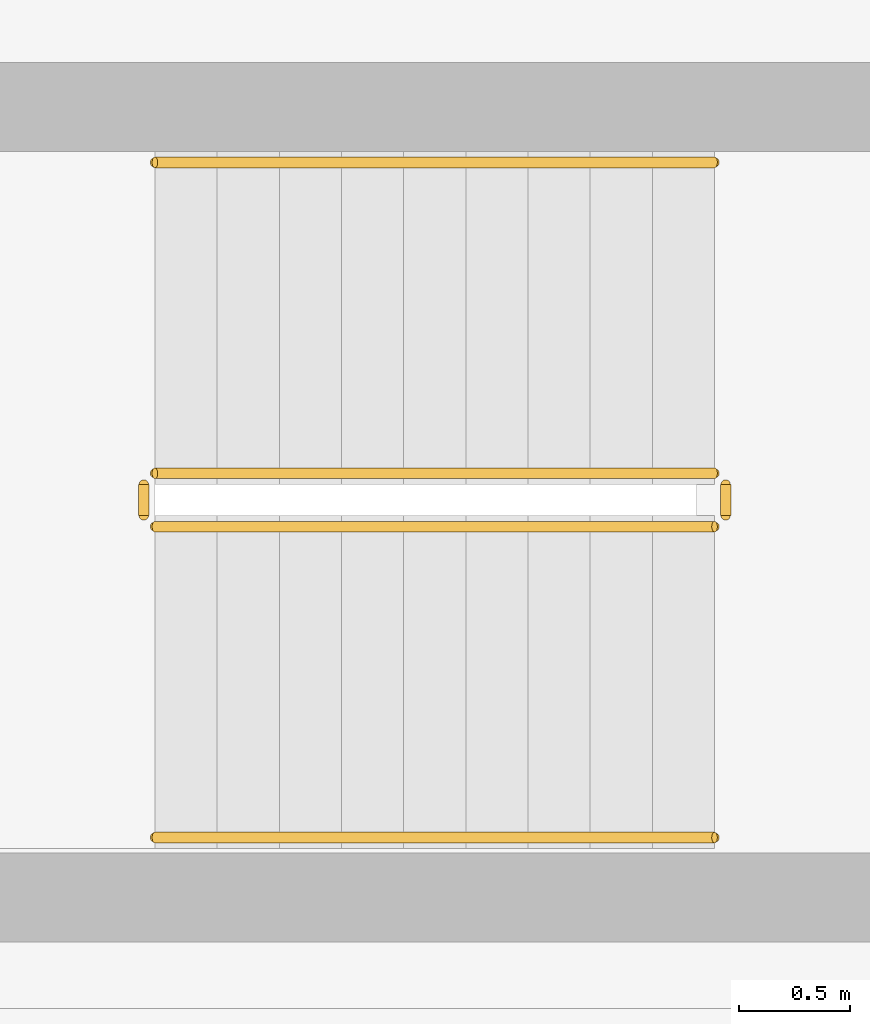
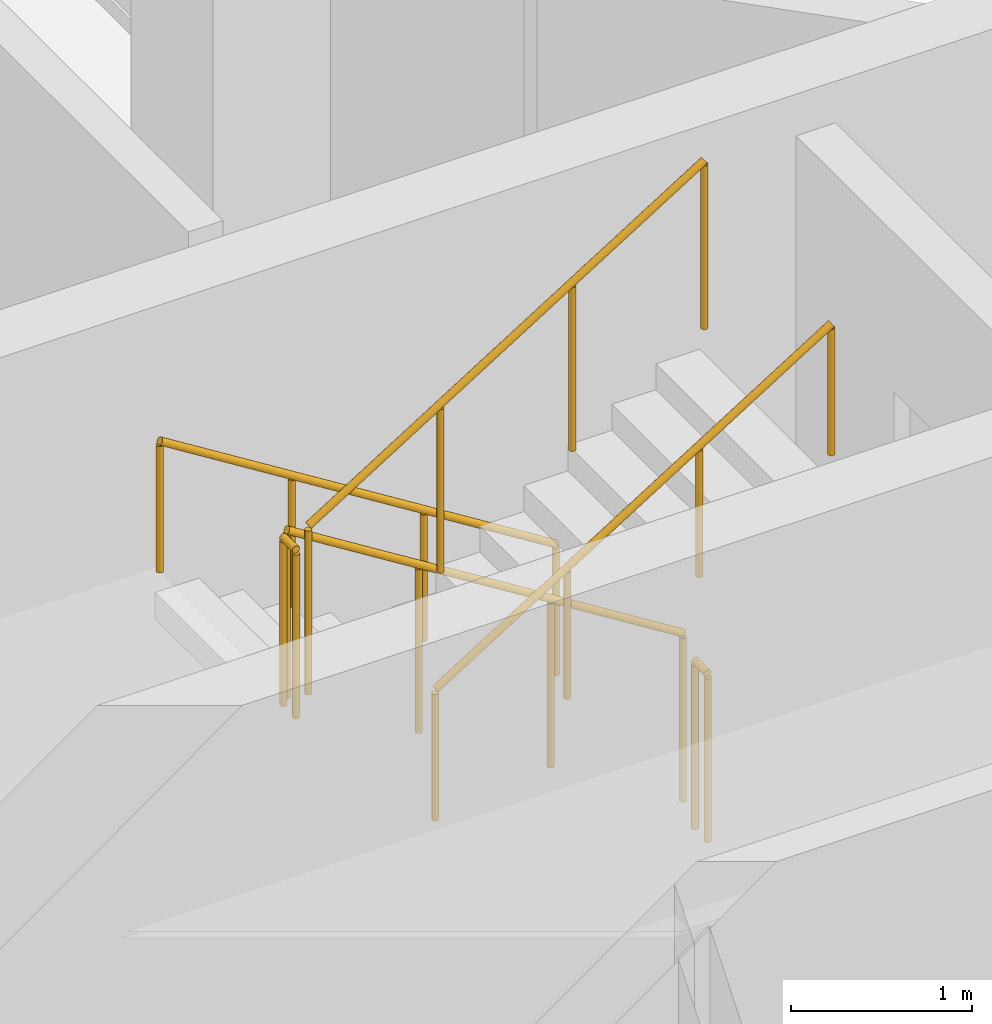
# One storey, part 11 of 14: 6 railings.
"""IFC4 building model written with IfcOpenShell, lengths in metres."""

from ifc_helpers import new_model, si_unit, derived_unit, direction, frame, origin, origin_2d, place, context, subcontext, project, spatial, circle, extrude, material, type_object, element, save


model = new_model("IFC4")

# Units and contexts
model_context = context("Model", 3, precision=1e-05, world=origin(), true_north=direction((0.0, 1.0)))
body_context = subcontext(model_context, "Body", "Model", "MODEL_VIEW")
ifc_project = project(units=[si_unit("LENGTHUNIT", "METRE"), si_unit("AREAUNIT", "SQUARE_METRE"), si_unit("VOLUMEUNIT", "CUBIC_METRE"), si_unit("PLANEANGLEUNIT", "RADIAN"), si_unit("MASSUNIT", "GRAM", prefix="KILO"), derived_unit("THERMALTRANSMITTANCEUNIT", [(si_unit("POWERUNIT", "WATT"), 1), (si_unit("LENGTHUNIT", "METRE"), -2), (si_unit("THERMODYNAMICTEMPERATUREUNIT", "KELVIN"), -1)])], contexts=[model_context])

# Site, building, storey
site_placement = place(None, origin())
site = spatial("IfcSite", under=ifc_project, at=site_placement, CompositionType="ELEMENT")
building_placement = place(site_placement, origin())
building = spatial("IfcBuilding", under=site, at=building_placement, Name="Kivonza Crest Hotel", CompositionType="ELEMENT")
storey_placement = place(building_placement, frame((0.0, 0.0, 148.5)))
storey = spatial("IfcBuildingStorey", under=building, at=storey_placement, Name="L40", CompositionType="ELEMENT", Elevation=148.5)

# Railings
ifc_material_1 = material(Name="Brushed stainless steel handrail", Category="steel")
railing_type_1 = type_object("IfcRailingType", Name="RL-HAND-900", PredefinedType="HANDRAIL", material=ifc_material_1)
railing_1_placement = place(storey_placement, frame((12.239990234375, 16.949951171875, 0.175048828125)))
element("IfcRailing", 1, at=railing_1_placement, inside=storey, type_object=railing_type_1, Name="L40 ST-T1-S stair handrail 1", PredefinedType="HANDRAIL", context=body_context, shape_type="SweptSolid", body=[
    extrude(circle(Radius=0.02392578125, at=origin_2d()), frame((0.0, 0.0, 0.8759765625), z_axis=(-0.848007534815, 0.0, 0.529984170421), x_axis=(0.0, -1.0, 0.0)), (0.0, 0.0, 1.0), 2.9716796875),
    extrude(circle(Radius=0.02099609375, at=origin_2d()), origin(), (0.0, 0.0, 1.0), 0.851806640625),
    extrude(circle(Radius=0.02099609375, at=origin_2d()), frame((-0.840087890625, 0.0, 0.52490234375)), (0.0, 0.0, 1.0), 0.851806640625),
    extrude(circle(Radius=0.02099609375, at=origin_2d()), frame((-1.679931640625, 0.0, 1.050048828125)), (0.0, 0.0, 1.0), 0.851806640625),
    extrude(circle(Radius=0.02099609375, at=origin_2d()), frame((-2.52001953125, 0.0, 1.574951171875)), (0.0, 0.0, 1.0), 0.851806640625),
])
railing_2_placement = place(storey_placement, frame((9.719970703125, 13.909912109375, 1.925048828125)))
element("IfcRailing", 2, at=railing_2_placement, inside=storey, type_object=railing_type_1, Name="L40 ST-T1-S stair handrail 2", PredefinedType="HANDRAIL", context=body_context, shape_type="SweptSolid", body=[
    extrude(circle(Radius=0.02392578125, at=origin_2d()), frame((0.0, 0.0, 0.8759765625), z_axis=(0.848007534815, 0.0, 0.529984170421), x_axis=(0.0, 1.0, 0.0)), (0.0, 0.0, 1.0), 2.9716796875),
    extrude(circle(Radius=0.02099609375, at=origin_2d()), origin(), (0.0, 0.0, 1.0), 0.851806640625),
    extrude(circle(Radius=0.02099609375, at=origin_2d()), frame((0.840087890625, 0.0, 0.52490234375)), (0.0, 0.0, 1.0), 0.851806640625),
    extrude(circle(Radius=0.02099609375, at=origin_2d()), frame((1.679931640625, 0.0, 1.050048828125)), (0.0, 0.0, 1.0), 0.851806640625),
    extrude(circle(Radius=0.02099609375, at=origin_2d()), frame((2.52001953125, 0.0, 1.574951171875)), (0.0, 0.0, 1.0), 0.851806640625),
])
ifc_material_2 = material(Name="Painted steel balustrade", Category="steel")
railing_type_2 = type_object("IfcRailingType", Name="RL-STAIR-1150", PredefinedType="BALUSTRADE", material=ifc_material_2)
railing_3_placement = place(storey_placement, frame((12.239990234375, 15.550048828125, 0.175048828125)))
element("IfcRailing", 3, at=railing_3_placement, inside=storey, type_object=railing_type_2, Name="L40 ST-T1-S stair guard 1", PredefinedType="BALUSTRADE", context=body_context, shape_type="SweptSolid", body=[
    extrude(circle(Radius=0.02392578125, at=origin_2d()), frame((0.0, 0.0, 1.1259765625), z_axis=(-0.848007534815, 0.0, 0.529984170421), x_axis=(0.0, -1.0, 0.0)), (0.0, 0.0, 1.0), 2.9716796875),
    extrude(circle(Radius=0.02099609375, at=origin_2d()), origin(), (0.0, 0.0, 1.0), 1.101806640625),
    extrude(circle(Radius=0.02099609375, at=origin_2d()), frame((-0.840087890625, 0.0, 0.52490234375)), (0.0, 0.0, 1.0), 1.101806640625),
    extrude(circle(Radius=0.02099609375, at=origin_2d()), frame((-1.679931640625, 0.0, 1.050048828125)), (0.0, 0.0, 1.0), 1.101806640625),
    extrude(circle(Radius=0.02099609375, at=origin_2d()), frame((-2.52001953125, 0.0, 1.574951171875)), (0.0, 0.0, 1.0), 1.101806640625),
])
railing_4_placement = place(storey_placement, frame((9.669921875, 15.5, 1.75)))
element("IfcRailing", 4, at=railing_4_placement, inside=storey, type_object=railing_type_2, Name="L40 ST-T1-S stair guard 2", PredefinedType="BALUSTRADE", context=body_context, shape_type="SweptSolid", body=[
    extrude(circle(Radius=0.02392578125, at=origin_2d()), frame((0.0, 0.0, 1.1259765625), z_axis=(0.0, -1.0, 0.0), x_axis=(1.0, 0.0, 0.0)), (0.0, 0.0, 1.0), 0.139892578125),
    extrude(circle(Radius=0.02099609375, at=origin_2d()), origin(), (0.0, 0.0, 1.0), 1.101806640625),
    extrude(circle(Radius=0.02099609375, at=origin_2d()), frame((0.0, -0.139892578125, 0.0)), (0.0, 0.0, 1.0), 1.101806640625),
])
railing_5_placement = place(storey_placement, frame((9.719970703125, 15.31005859375, 1.925048828125)))
element("IfcRailing", 5, at=railing_5_placement, inside=storey, type_object=railing_type_2, Name="L40 ST-T1-S stair guard 3", PredefinedType="BALUSTRADE", context=body_context, shape_type="SweptSolid", body=[
    extrude(circle(Radius=0.02392578125, at=origin_2d()), frame((0.0, 0.0, 1.1259765625), z_axis=(0.848007534815, 0.0, 0.529984170421), x_axis=(0.0, 1.0, 0.0)), (0.0, 0.0, 1.0), 2.9716796875),
    extrude(circle(Radius=0.02099609375, at=origin_2d()), origin(), (0.0, 0.0, 1.0), 1.101806640625),
    extrude(circle(Radius=0.02099609375, at=origin_2d()), frame((0.840087890625, 0.0, 0.52490234375)), (0.0, 0.0, 1.0), 1.101806640625),
    extrude(circle(Radius=0.02099609375, at=origin_2d()), frame((1.679931640625, 0.0, 1.050048828125)), (0.0, 0.0, 1.0), 1.101806640625),
    extrude(circle(Radius=0.02099609375, at=origin_2d()), frame((2.52001953125, 0.0, 1.574951171875)), (0.0, 0.0, 1.0), 1.101806640625),
])
railing_6_placement = place(storey_placement, frame((12.2900390625, 15.5, 0.0)))
element("IfcRailing", 6, at=railing_6_placement, inside=storey, type_object=railing_type_2, Name="L40 ST-T1-S stair guard 4", PredefinedType="BALUSTRADE", context=body_context, shape_type="SweptSolid", body=[
    extrude(circle(Radius=0.02392578125, at=origin_2d()), frame((0.0, 0.0, 1.1259765625), z_axis=(0.0, -1.0, 0.0), x_axis=(1.0, 0.0, 0.0)), (0.0, 0.0, 1.0), 0.139892578125),
    extrude(circle(Radius=0.02099609375, at=origin_2d()), origin(), (0.0, 0.0, 1.0), 1.101806640625),
    extrude(circle(Radius=0.02099609375, at=origin_2d()), frame((0.0, -0.139892578125, 0.0)), (0.0, 0.0, 1.0), 1.101806640625),
])

save(model, "model.ifc")
